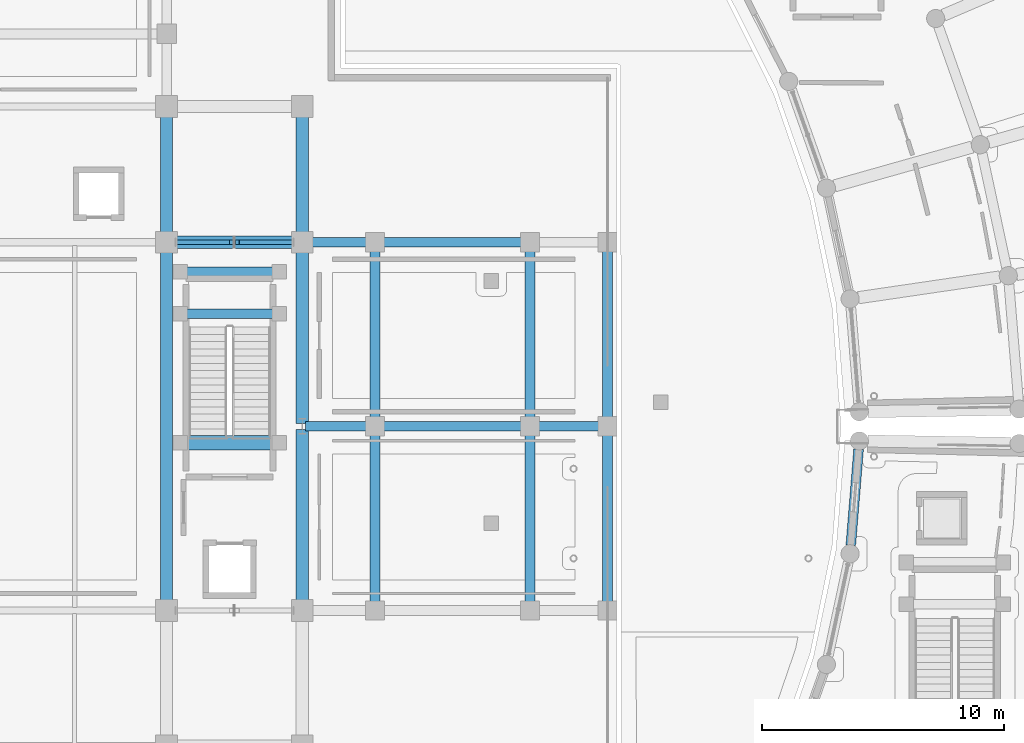
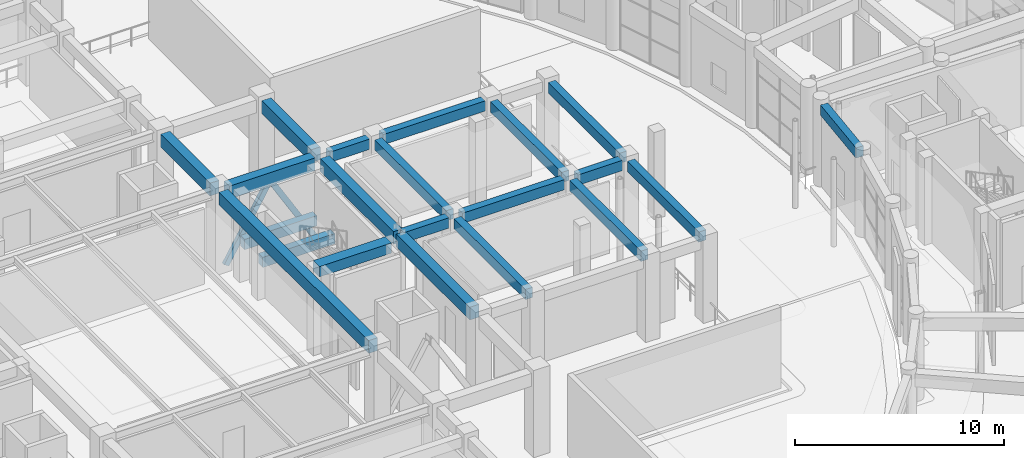
# One storey, part 43 of 99: 21 beams, 2 members.
"""IFC4 building model written with IfcOpenShell, lengths in metres."""

from ifc_helpers import new_model, si_unit, direction, frame, origin, origin_2d, place, context, subcontext, project, spatial, rectangle, hollow_rectangle, extrude, material, material_profile, profile_set, type_object, element, save


model = new_model("IFC4")

# Units and contexts
model_context = context("Model", 3, precision=1e-05, world=origin(), true_north=direction((0.0, 1.0)))
body_context = subcontext(model_context, "Body", "Model", "MODEL_VIEW")
ifc_project = project(units=[si_unit("LENGTHUNIT", "METRE"), si_unit("AREAUNIT", "SQUARE_METRE"), si_unit("VOLUMEUNIT", "CUBIC_METRE"), si_unit("PLANEANGLEUNIT", "RADIAN"), si_unit("MASSUNIT", "GRAM", prefix="KILO")], contexts=[model_context])

# Site, building, storey
site_placement = place(None, origin())
site = spatial("IfcSite", under=ifc_project, at=site_placement, CompositionType="ELEMENT")
building_placement = place(site_placement, origin())
building = spatial("IfcBuilding", under=site, at=building_placement, Name="Saryqyr Civic Hall", CompositionType="ELEMENT")
storey_placement = place(building_placement, origin())
storey = spatial("IfcBuildingStorey", under=building, at=storey_placement, Name="L00", CompositionType="ELEMENT", Elevation=0.0)

# Beams
ifc_material_1 = material(Name="Concrete C35/45", Category="concrete")
ifc_material_profile_1 = material_profile(ifc_material_1, rectangle(XDim=0.39990234375, YDim=0.60009765625, at=origin_2d()), Name="RC 400x600")
ifc_profile_set_1 = profile_set([ifc_material_profile_1], Name="Concrete C35/45")
beam_type_1 = type_object("IfcBeamType", Name="STR-BM-RC400x600", PredefinedType="BEAM", material=ifc_profile_set_1)
beam_1_placement = place(storey_placement, frame((79.97509765625, 84.0, 4.52001953125), z_axis=(1.0, 0.0, 0.0), x_axis=(0.0, 1.0, 0.0)))
element("IfcBeam", 1, at=beam_1_placement, inside=storey, type_object=beam_type_1, Name="Beam V1-TBM-05-L00", PredefinedType="BEAM", context=body_context, shape_type="SweptSolid", body=[
    extrude(rectangle(XDim=0.39990234375, YDim=0.60009765625, at=origin_2d()), origin(), (0.0, 0.0, 1.0), 2.449951171875),
])
for number, where, z_axis, x_axis, name in (
    (2, (82.800048828125, 76.77490234375, 4.52001953125), (0.0, 1.0, 0.0), (-1.0, 0.0, 0.0), "Beam V1-TBM-15-L00"),
    (3, (82.800048828125, 84.375, 4.52001953125), (0.0, 1.0, 0.0), (-1.0, 0.0, 0.0), "Beam V1-TBM-16-L00"),
):
    element("IfcBeam", number, at=place(storey_placement, frame(where, z_axis=z_axis, x_axis=x_axis)), inside=storey, type_object=beam_type_1, Name=name, PredefinedType="BEAM", context=body_context, shape_type="SweptSolid", body=[
        extrude(rectangle(XDim=0.39990234375, YDim=0.60009765625, at=origin_2d()), origin(), (0.0, 0.0, 1.0), 6.85009765625),
    ])
for number, where, z_axis, x_axis, name in (
    (4, (73.574951171875, 84.0, 4.52001953125), (1.0, 0.0, 0.0), (0.0, 1.0, 0.0), "Beam V1-TBM-25-L00"),
    (5, (73.574951171875, 91.60009765625, 4.52001953125), (1.0, 0.0, 0.0), (0.0, 1.0, 0.0), "Beam V1-TBM-26-L00"),
):
    element("IfcBeam", number, at=place(storey_placement, frame(where, z_axis=z_axis, x_axis=x_axis)), inside=storey, type_object=beam_type_1, Name=name, PredefinedType="BEAM", context=body_context, shape_type="SweptSolid", body=[
        extrude(rectangle(XDim=0.39990234375, YDim=0.60009765625, at=origin_2d()), origin(), (0.0, 0.0, 1.0), 5.650146484375),
    ])
for number, where, z_axis, x_axis, name in (
    (6, (79.60009765625, 76.77490234375, 4.52001953125), (0.0, 1.0, 0.0), (-1.0, 0.0, 0.0), "Beam V1-TBM-35-L00"),
    (7, (79.60009765625, 84.375, 4.52001953125), (0.0, 1.0, 0.0), (-1.0, 0.0, 0.0), "Beam V1-TBM-36-L00"),
):
    element("IfcBeam", number, at=place(storey_placement, frame(where, z_axis=z_axis, x_axis=x_axis)), inside=storey, type_object=beam_type_1, Name=name, PredefinedType="BEAM", context=body_context, shape_type="SweptSolid", body=[
        extrude(rectangle(XDim=0.39990234375, YDim=0.60009765625, at=origin_2d()), origin(), (0.0, 0.0, 1.0), 6.85009765625),
    ])
beam_2_placement = place(storey_placement, frame((70.324951171875, 84.0, 4.52001953125), z_axis=(1.0, 0.0, 0.0), x_axis=(0.0, 1.0, 0.0)))
element("IfcBeam", 8, at=beam_2_placement, inside=storey, type_object=beam_type_1, Name="Beam V1-TBM-45-L00", PredefinedType="BEAM", context=body_context, shape_type="SweptSolid", body=[
    extrude(rectangle(XDim=0.39990234375, YDim=0.60009765625, at=origin_2d()), origin(), (0.0, 0.0, 1.0), 2.5),
])
beam_3_placement = place(storey_placement, frame((70.625, 91.60009765625, 4.52001953125), z_axis=(1.0, 0.0, 0.0), x_axis=(0.0, 1.0, 0.0)))
element("IfcBeam", 9, at=beam_3_placement, inside=storey, type_object=beam_type_1, Name="Beam V1-TBM-46-L00", PredefinedType="BEAM", context=body_context, shape_type="SweptSolid", body=[
    extrude(rectangle(XDim=0.39990234375, YDim=0.60009765625, at=origin_2d()), origin(), (0.0, 0.0, 1.0), 2.199951171875),
])
for number, where, z_axis, x_axis, name in (
    (10, (73.199951171875, 76.77490234375, 4.52001953125), (0.0, 1.0, 0.0), (-1.0, 0.0, 0.0), "Beam V1-TBM-53-L00"),
    (11, (73.199951171875, 84.375, 4.52001953125), (0.0, 1.0, 0.0), (-1.0, 0.0, 0.0), "Beam V1-TBM-54-L00"),
):
    element("IfcBeam", number, at=place(storey_placement, frame(where, z_axis=z_axis, x_axis=x_axis)), inside=storey, type_object=beam_type_1, Name=name, PredefinedType="BEAM", context=body_context, shape_type="SweptSolid", body=[
        extrude(rectangle(XDim=0.39990234375, YDim=0.60009765625, at=origin_2d()), origin(), (0.0, 0.0, 1.0), 6.85009765625),
    ])
for number, where, z_axis, x_axis, name in (
    (12, (69.199951171875, 88.64990234375, 2.050048828125), (-1.0, 0.0, 0.0), (0.0, -1.0, 0.0), "Stair half-landing support beam ST-2-LND1-L00"),
    (13, (69.199951171875, 90.3798828125, 2.050048828125), (-1.0, 0.0, 0.0), (0.0, -1.0, 0.0), "Stair half-landing support beam ST-2-LND2-L00"),
):
    element("IfcBeam", number, at=place(storey_placement, frame(where, z_axis=z_axis, x_axis=x_axis)), inside=storey, type_object=beam_type_1, Name=name, PredefinedType="BEAM", context=body_context, shape_type="SweptSolid", body=[
        extrude(rectangle(XDim=0.39990234375, YDim=0.60009765625, at=origin_2d()), origin(), (0.0, 0.0, 1.0), 4.0),
    ])
ifc_material_profile_2 = material_profile(ifc_material_1, rectangle(XDim=0.39990234375, YDim=0.60009765625, at=origin_2d()), Name="RC 400x600")
ifc_profile_set_2 = profile_set([ifc_material_profile_2], Name="Concrete C35/45")
beam_type_2 = type_object("IfcBeamType", Name="STR-BM-RC400x600-EXT", PredefinedType="BEAM", material=ifc_profile_set_2)
beam_4_placement = place(storey_placement, frame((92.84423828125, 79.088623046875, 4.52001953125), z_axis=(0.081063205852, 0.996708962866, 0.0), x_axis=(-0.996708962866, 0.081063205852, 0.0)))
element("IfcBeam", 14, at=beam_4_placement, inside=storey, type_object=beam_type_2, Name="Beam V5-CBM-IN09-L00", PredefinedType="BEAM", context=body_context, shape_type="SweptSolid", body=[
    extrude(rectangle(XDim=0.39990234375, YDim=0.60009765625, at=origin_2d()), origin(), (0.0, 0.0, 1.0), 3.9755859375),
])
ifc_material_2 = material(Name="Concrete C40/50", Category="concrete")
ifc_material_profile_3 = material_profile(ifc_material_2, rectangle(XDim=0.5, YDim=0.75, at=origin_2d()), Name="RC 500x750")
ifc_profile_set_3 = profile_set([ifc_material_profile_3], Name="Concrete C40/50")
beam_type_3 = type_object("IfcBeamType", Name="STR-BM-RC500x750", PredefinedType="BEAM", material=ifc_profile_set_3)
beam_5_placement = place(storey_placement, frame((65.02490234375, 91.60009765625, 4.445068359375), z_axis=(1.0, 0.0, 0.0), x_axis=(0.0, 1.0, 0.0)))
element("IfcBeam", 15, at=beam_5_placement, inside=storey, type_object=beam_type_3, Name="Beam V1-WBM-E3-L00", PredefinedType="BEAM", context=body_context, shape_type="SweptSolid", body=[
    extrude(rectangle(XDim=0.5, YDim=0.75, at=origin_2d()), origin(), (0.0, 0.0, 1.0), 4.75),
])
beam_6_placement = place(storey_placement, frame((64.60009765625, 76.824951171875, 4.445068359375), z_axis=(0.0, 1.0, 0.0), x_axis=(-1.0, 0.0, 0.0)))
element("IfcBeam", 16, at=beam_6_placement, inside=storey, type_object=beam_type_3, Name="Beam V1-BM-NS32-L00", PredefinedType="BEAM", context=body_context, shape_type="SweptSolid", body=[
    extrude(rectangle(XDim=0.5, YDim=0.75, at=origin_2d()), origin(), (0.0, 0.0, 1.0), 14.35009765625),
])
beam_7_placement = place(storey_placement, frame((64.60009765625, 92.02490234375, 4.445068359375), z_axis=(0.0, 1.0, 0.0), x_axis=(-1.0, 0.0, 0.0)))
element("IfcBeam", 17, at=beam_7_placement, inside=storey, type_object=beam_type_3, Name="Beam V1-BM-NS33-L00", PredefinedType="BEAM", context=body_context, shape_type="SweptSolid", body=[
    extrude(rectangle(XDim=0.5, YDim=0.75, at=origin_2d()), origin(), (0.0, 0.0, 1.0), 4.75),
])
for number, where, z_axis, x_axis, name in (
    (18, (70.199951171875, 76.824951171875, 4.445068359375), (0.0, 1.0, 0.0), (-1.0, 0.0, 0.0), "Beam V1-BM-NS4A-L00"),
    (19, (70.199951171875, 84.125, 4.445068359375), (0.0, 1.0, 0.0), (-1.0, 0.0, 0.0), "Beam V1-BM-NS4B-L00"),
):
    element("IfcBeam", number, at=place(storey_placement, frame(where, z_axis=z_axis, x_axis=x_axis)), inside=storey, type_object=beam_type_3, Name=name, PredefinedType="BEAM", context=body_context, shape_type="SweptSolid", body=[
        extrude(rectangle(XDim=0.5, YDim=0.75, at=origin_2d()), origin(), (0.0, 0.0, 1.0), 7.050048828125),
    ])
beam_8_placement = place(storey_placement, frame((70.199951171875, 92.02490234375, 4.445068359375), z_axis=(0.0, 1.0, 0.0), x_axis=(-1.0, 0.0, 0.0)))
element("IfcBeam", 20, at=beam_8_placement, inside=storey, type_object=beam_type_3, Name="Beam V1-BM-NS43-L00", PredefinedType="BEAM", context=body_context, shape_type="SweptSolid", body=[
    extrude(rectangle(XDim=0.5, YDim=0.75, at=origin_2d()), origin(), (0.0, 0.0, 1.0), 4.75),
])
ifc_material_profile_4 = material_profile(ifc_material_2, rectangle(XDim=0.60009765625, YDim=0.60009765625, at=origin_2d()), Name="RC 600x600")
ifc_profile_set_4 = profile_set([ifc_material_profile_4], Name="Concrete C40/50")
beam_type_4 = type_object("IfcBeamType", Name="STR-BM-RC600x600", PredefinedType="BEAM", material=ifc_profile_set_4)
beam_9_placement = place(storey_placement, frame((69.199951171875, 83.31494140625, 4.800048828125), z_axis=(-1.0, 0.0, 0.0), x_axis=(0.0, -1.0, 0.0)))
element("IfcBeam", 21, at=beam_9_placement, inside=storey, type_object=beam_type_4, Name="Stair well trimmer beam ST-2-L01", PredefinedType="BEAM", context=body_context, shape_type="SweptSolid", body=[
    extrude(rectangle(XDim=0.60009765625, YDim=0.60009765625, at=origin_2d()), origin(), (0.0, 0.0, 1.0), 4.0),
])

# Members
ifc_material_3 = material(Name="Steel S355", Category="steel")
ifc_material_profile_5 = material_profile(ifc_material_3, hollow_rectangle(XDim=0.199951171875, YDim=0.300048828125, WallThickness=0.01611328125, at=origin_2d()), Name="RHS 300x200x16")
ifc_profile_set_5 = profile_set([ifc_material_profile_5], Name="Steel S355")
member_type = type_object("IfcMemberType", Name="STR-BR-RHS300", PredefinedType="BRACE", material=ifc_profile_set_5)
for number, where, z_axis, x_axis, name in (
    (22, (64.9599609375, 91.60009765625, 0.1201171875), (0.51005836124, 0.0, 0.86013979569), (0.0, 1.0, 0.0), "Seismic chevron brace 4A L00"),
    (23, (69.840087890625, 91.60009765625, 0.1201171875), (-0.51005836124, 0.0, 0.86013979569), (0.0, -1.0, 0.0), "Seismic chevron brace 4B L00"),
):
    element("IfcMember", number, at=place(storey_placement, frame(where, z_axis=z_axis, x_axis=x_axis)), inside=storey, type_object=member_type, Name=name, PredefinedType="BRACE", context=body_context, shape_type="SweptSolid", body=[
        extrude(hollow_rectangle(XDim=0.199951171875, YDim=0.300048828125, WallThickness=0.01611328125, at=origin_2d()), origin(), (0.0, 0.0, 1.0), 4.627197265625),
    ])

save(model, "model.ifc")
